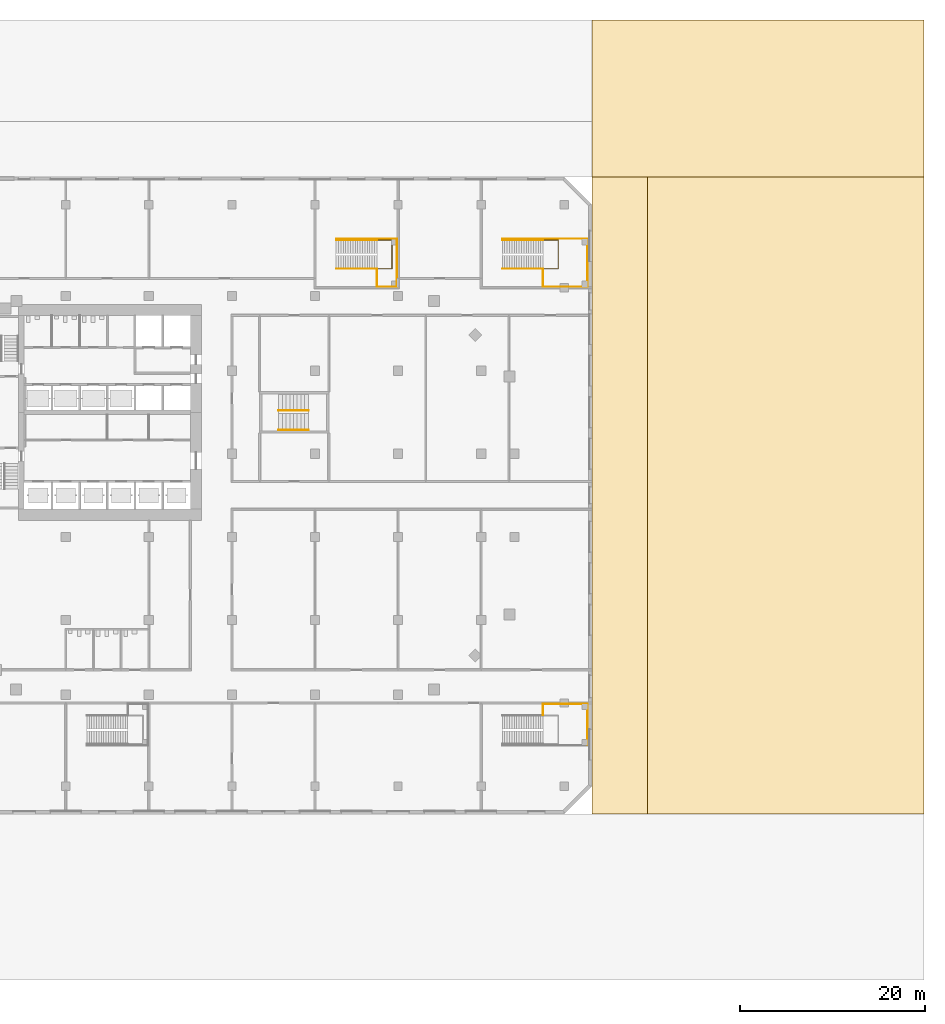
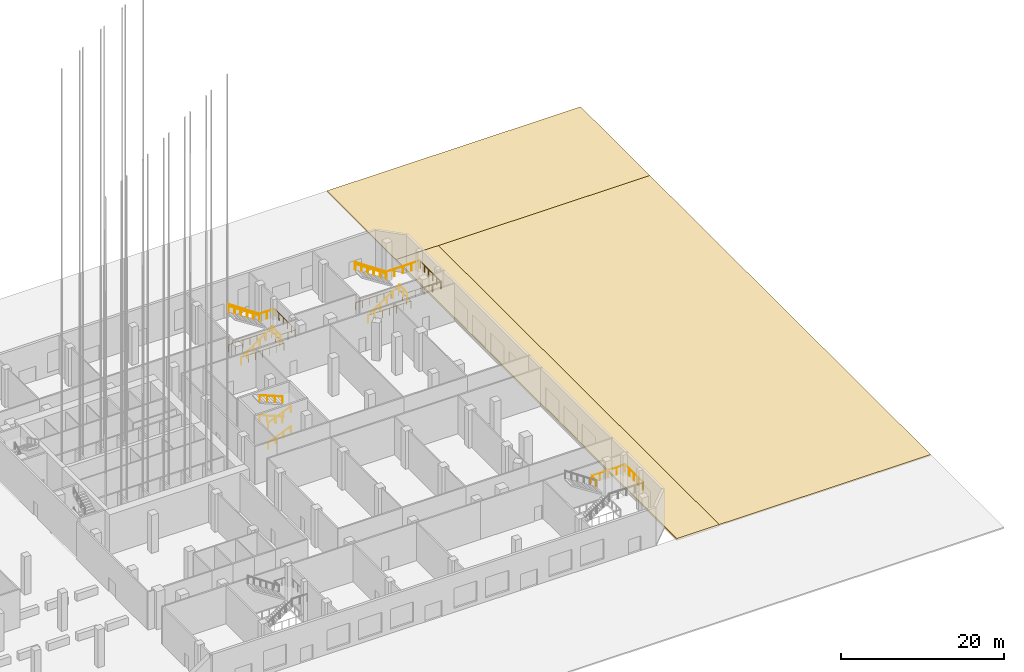
# One storey, part 52 of 55: 18 railings, 3 coverings, 1 element without a shape of its own.
"""IFC4 building model written with IfcOpenShell, lengths in metres."""

import ifcopenshell
import ifcopenshell.guid

model = None  # the IFC model being written
_history = None  # IfcOwnerHistory: only IFC2X3 demands one
_inside = {}  # id of a spatial element -> (the spatial element, [elements in it])
_under = {}  # id of a project, library or spatial element -> (it, [spatial elements below it])
_declared = {}  # id of a project -> (the project, [libraries it declares])
_typed = {}  # id of a type object -> (the type object, [elements of that type])
_made_of = {}  # id of a material, layer set ... -> (it, [elements and type objects made of it])


def new_model(schema):
    """Start an empty IFC model of exactly this schema.

    Asked for "IFC4X3", IfcOpenShell would pick the latest addendum, in which some entities
    have other attributes; the version numbers below select the first issue.
    IFC2X3 requires an IfcOwnerHistory on every rooted entity: one is made here for all.
    """
    global model, _history
    if schema == "IFC4X3":
        model = ifcopenshell.file(schema_version=(4, 3, 0, 0))
    else:
        model = ifcopenshell.file(schema=schema)
    _inside.clear()
    _under.clear()
    _declared.clear()
    _typed.clear()
    _made_of.clear()
    _history = None
    if model.schema == "IFC2X3":
        org = make("IfcOrganization", Name="unknown")
        user = make(
            "IfcPersonAndOrganization",
            ThePerson=make("IfcPerson", FamilyName="unknown"),
            TheOrganization=org,
        )
        app = make(
            "IfcApplication",
            ApplicationDeveloper=org,
            Version="unknown",
            ApplicationFullName="unknown",
            ApplicationIdentifier="unknown",
        )
        _history = make(
            "IfcOwnerHistory",
            OwningUser=user,
            OwningApplication=app,
            ChangeAction="ADDED",
            CreationDate=0,
        )
    return model


def make(cls, **values):
    """One entity of the class cls with the attributes given. An attribute that is None is left unset."""
    return model.create_entity(
        cls, **{name: value for name, value in values.items() if value is not None}
    )


def rooted(cls, **values):
    """An entity with a GlobalId (a new one), such as an element, a storey or a relation."""
    return make(cls, GlobalId=ifcopenshell.guid.new(), OwnerHistory=_history, **values)


def si_unit(unit_type, name, prefix=None):
    """IfcSIUnit, for example si_unit("LENGTHUNIT", "METRE", prefix="MILLI")."""
    return make("IfcSIUnit", UnitType=unit_type, Prefix=prefix, Name=name)


def assignment(units):
    """IfcUnitAssignment: the units of a project."""
    return None if units is None else make("IfcUnitAssignment", Units=units)


def point(xyz):
    """IfcCartesianPoint."""
    return None if xyz is None else make("IfcCartesianPoint", Coordinates=xyz)


def direction(xyz):
    """IfcDirection."""
    return None if xyz is None else make("IfcDirection", DirectionRatios=xyz)


def frame(location, z_axis=None, x_axis=None):
    """IfcAxis2Placement3D, a coordinate frame: its origin and axes. An axis left out is left unset."""
    return make(
        "IfcAxis2Placement3D",
        Location=point(location),
        Axis=direction(z_axis),
        RefDirection=direction(x_axis),
    )


def frame_2d(location, x_axis=None):
    """IfcAxis2Placement2D, a coordinate frame in the plane: its origin and x axis."""
    return make(
        "IfcAxis2Placement2D", Location=point(location), RefDirection=direction(x_axis)
    )


def origin():
    """The frame at (0, 0, 0) with its axes left unset."""
    return frame((0.0, 0.0, 0.0))


def origin_2d():
    """The frame at (0, 0) in the plane with its x axis left unset."""
    return frame_2d((0.0, 0.0))


def place(relative_to, where):
    """IfcLocalPlacement: puts the frame where relative to a parent placement (None: the world)."""
    return make(
        "IfcLocalPlacement", PlacementRelTo=relative_to, RelativePlacement=where
    )


def context(
    kind, dimensions, precision=None, world=None, true_north=None, identifier=None
):
    """IfcGeometricRepresentationContext, for example the 3D "Model" context."""
    return make(
        "IfcGeometricRepresentationContext",
        ContextIdentifier=identifier,
        ContextType=kind,
        CoordinateSpaceDimension=dimensions,
        Precision=precision,
        WorldCoordinateSystem=world,
        TrueNorth=true_north,
    )


def subcontext(parent, identifier, kind, view, scale=None):
    """IfcGeometricRepresentationSubContext, for example "Body" below "Model"."""
    return make(
        "IfcGeometricRepresentationSubContext",
        ContextIdentifier=identifier,
        ContextType=kind,
        ParentContext=parent,
        TargetScale=scale,
        TargetView=view,
    )


def project(units=None, contexts=None):
    """IfcProject with its units and contexts."""
    return rooted(
        "IfcProject",
        Name="project",
        RepresentationContexts=contexts,
        UnitsInContext=assignment(units),
    )


def spatial(cls, under=None, at=None, **own):
    """A site, building, storey or space (cls), placed at a placement, below another one or the project."""
    s = rooted(cls, ObjectPlacement=at, **own)
    if under is not None:
        _under.setdefault(under.id(), (under, []))[1].append(s)
    return s


def polyline(points):
    """IfcPolyline through the points."""
    return make("IfcPolyline", Points=[point(p) for p in points])


def profile(cls, at=None, kind="AREA", **sizes):
    """A parametric profile (cls). Its sizes go by their IFC names, for example OverallWidth=200.0."""
    return make(cls, ProfileType=kind, Position=at, **sizes)


def circle(**sizes):
    """IfcCircleProfileDef."""
    return profile("IfcCircleProfileDef", **sizes)


def outline(outer, holes=None, kind="AREA"):
    """IfcArbitraryClosedProfileDef: a profile drawn as a closed curve; with holes, ...WithVoids."""
    if holes is None:
        return make("IfcArbitraryClosedProfileDef", ProfileType=kind, OuterCurve=outer)
    return make(
        "IfcArbitraryProfileDefWithVoids",
        ProfileType=kind,
        OuterCurve=outer,
        InnerCurves=holes,
    )


def extrude(swept, where, along, depth):
    """IfcExtrudedAreaSolid: the profile swept, set in the frame where, extruded along a direction by depth."""
    return make(
        "IfcExtrudedAreaSolid",
        SweptArea=swept,
        Position=where,
        ExtrudedDirection=direction(along),
        Depth=depth,
    )


def shape(context_of_items, identifier, shape_type, items):
    """IfcShapeRepresentation: the items that make up one representation, for example the "Body"."""
    return make(
        "IfcShapeRepresentation",
        ContextOfItems=context_of_items,
        RepresentationIdentifier=identifier,
        RepresentationType=shape_type,
        Items=items,
    )


def material(Name=None, Category=None):
    """IfcMaterial."""
    return make("IfcMaterial", Name=Name, Category=Category)


def layer(
    of_material, thickness, ventilated=None, Name=None, Category=None, Priority=None
):
    """IfcMaterialLayer: one layer of a wall or slab, of a material (None: an air gap)."""
    return make(
        "IfcMaterialLayer",
        Material=of_material,
        LayerThickness=thickness,
        IsVentilated=ventilated,
        Name=Name,
        Category=Category,
        Priority=Priority,
    )


def layer_set(layers, Name=None):
    """IfcMaterialLayerSet."""
    return make("IfcMaterialLayerSet", MaterialLayers=layers, LayerSetName=Name)


def made_of(thing, what):
    """Note that an element or type object is made of a material, layer set ...; save() writes the relation."""
    if what is not None:
        _made_of.setdefault(what.id(), (what, []))[1].append(thing)
    return thing


def type_object(cls, material=None, **own):
    """A type object (cls), such as IfcWallType, which elements share."""
    return made_of(rooted(cls, **own), material)


def element(
    cls,
    number,
    at=None,
    inside=None,
    cuts=None,
    type_object=None,
    material=None,
    context=None,
    identifier="Body",
    shape_type=None,
    held_by="IfcProductDefinitionShape",
    body=None,
    shapes=None,
    **own,
):
    """One element of the class cls, such as IfcWall. Its Tag is "e" and its number.

    at: its placement. inside: the storey or other place that contains it. cuts: it is an
    opening in that element (IfcRelVoidsElement). A single representation is given by context,
    identifier, shape_type and body (its items); several are given by shapes. held_by: the class
    of the entity that holds the representations. save() writes the other relations.
    """
    e = rooted(cls, Tag="e%d" % number, ObjectPlacement=at, **own)
    if body is not None:
        shapes = [shape(context, identifier, shape_type, body)]
    if shapes is not None:
        e.Representation = make(held_by, Representations=shapes)
    if inside is not None:
        _inside.setdefault(inside.id(), (inside, []))[1].append(e)
    if cuts is not None:
        rooted(
            "IfcRelVoidsElement", RelatingBuildingElement=cuts, RelatedOpeningElement=e
        )
    if type_object is not None:
        _typed.setdefault(type_object.id(), (type_object, []))[1].append(e)
    return made_of(e, material)


def aggregate(whole, parts):
    """IfcRelAggregates: a whole, such as a stair, and the parts it consists of."""
    return rooted("IfcRelAggregates", RelatingObject=whole, RelatedObjects=parts)


def save(model, path):
    """Write the relations noted so far, then the file.

    IfcRelAggregates (storeys below a building ...), IfcRelContainedInSpatialStructure (elements
    in a storey), IfcRelDefinesByType, IfcRelAssociatesMaterial and IfcRelDeclares: one each for
    every whole, place, type object, material and project.
    """
    for whole, parts in _under.values():
        aggregate(whole, parts)
    for where, things in _inside.values():
        rooted(
            "IfcRelContainedInSpatialStructure",
            RelatedElements=things,
            RelatingStructure=where,
        )
    for kind, things in _typed.values():
        rooted("IfcRelDefinesByType", RelatedObjects=things, RelatingType=kind)
    for what, things in _made_of.values():
        rooted("IfcRelAssociatesMaterial", RelatedObjects=things, RelatingMaterial=what)
    for by, libraries in _declared.values():
        rooted("IfcRelDeclares", RelatingContext=by, RelatedDefinitions=libraries)
    model.write(path)


model = new_model("IFC4")

# Units and contexts
model_context = context("Model", 3, precision=1e-05, world=origin(), true_north=direction((0.0, 1.0)))
body_context = subcontext(model_context, "Body", "Model", "MODEL_VIEW")
ifc_project = project(units=[si_unit("LENGTHUNIT", "METRE"), si_unit("AREAUNIT", "SQUARE_METRE"), si_unit("VOLUMEUNIT", "CUBIC_METRE"), si_unit("PLANEANGLEUNIT", "RADIAN"), si_unit("MASSUNIT", "GRAM", prefix="KILO")], contexts=[model_context])

# Site, building, storey
site_placement = place(None, origin())
site = spatial("IfcSite", under=ifc_project, at=site_placement, CompositionType="ELEMENT")
building_placement = place(site_placement, origin())
building = spatial("IfcBuilding", under=site, at=building_placement, Name="Cinnabar Reach Civic Tower", CompositionType="ELEMENT")
storey_placement = place(building_placement, origin())
storey = spatial("IfcBuildingStorey", under=building, at=storey_placement, Name="L00", CompositionType="ELEMENT", Elevation=0.0)

# Coverings
ifc_material_1 = material(Name="Granite paving on sand and cement bedding", Category="masonry")
ifc_layer_1 = layer(ifc_material_1, 0.2)
ifc_layer_set_1 = layer_set([ifc_layer_1], Name="Podium granite paving 200")
covering_type_1 = type_object("IfcCoveringType", Name="Podium granite paving 200", PredefinedType="USERDEFINED", material=ifc_layer_set_1)
covering_1_placement = place(storey_placement, frame((0.0, 0.0, -0.2)))
element("IfcCovering", 1, at=covering_1_placement, inside=storey, type_object=covering_type_1, Name="East plaza paving", ObjectType="PAVING", PredefinedType="USERDEFINED", context=body_context, shape_type="SweptSolid", body=[
    extrude(outline(polyline([(102.0, -12.0), (102.0, 57.0), (72.0, 57.0), (72.0, -12.0), (102.0, -12.0)])), origin(), (0.0, 0.0, 1.0), 0.2),
])
covering_2_placement = place(storey_placement, frame((0.0, 0.0, -0.2)))
element("IfcCovering", 2, at=covering_2_placement, inside=storey, type_object=covering_type_1, Name="North-east plaza paving", ObjectType="PAVING", PredefinedType="USERDEFINED", context=body_context, shape_type="SweptSolid", body=[
    extrude(outline(polyline([(102.0, 57.0), (102.0, 74.0), (66.0, 74.0), (66.0, 57.0), (102.0, 57.0)])), origin(), (0.0, 0.0, 1.0), 0.2),
])

# Railings
ifc_material_2 = material(Name="Stainless steel and glass", Category="steel")
railing_type_1 = type_object("IfcRailingType", Name="Podium guard 1100", PredefinedType="GUARDRAIL", material=ifc_material_2)
railing_1_placement = place(storey_placement, frame((60.72, -0.1, 3.0)))
element("IfcRailing", 3, at=railing_1_placement, inside=storey, type_object=railing_type_1, Name="Landing guard PS4 L00", PredefinedType="GUARDRAIL", context=body_context, shape_type="SweptSolid", body=[
    extrude(circle(Radius=0.024, at=origin_2d()), frame((0.0, 0.0, 1.076), z_axis=(1.0, 0.0, 0.0), x_axis=(0.0, 1.0, 0.0)), (0.0, 0.0, 1.0), 4.78),
    extrude(circle(Radius=0.024, at=origin_2d()), frame((4.78, 0.0, 1.076), z_axis=(0.0, -1.0, 0.0), x_axis=(1.0, 0.0, 0.0)), (0.0, 0.0, 1.0), 4.4),
    extrude(circle(Radius=0.021, at=origin_2d()), origin(), (0.0, 0.0, 1.0), 1.052),
    extrude(circle(Radius=0.021, at=origin_2d()), frame((1.195, 0.0, 0.0)), (0.0, 0.0, 1.0), 1.052),
    extrude(circle(Radius=0.021, at=origin_2d()), frame((2.39, 0.0, 0.0)), (0.0, 0.0, 1.0), 1.052),
    extrude(circle(Radius=0.021, at=origin_2d()), frame((3.585, 0.0, 0.0)), (0.0, 0.0, 1.0), 1.052),
    extrude(circle(Radius=0.021, at=origin_2d()), frame((4.78, 0.0, 0.0)), (0.0, 0.0, 1.0), 1.052),
    extrude(circle(Radius=0.021, at=origin_2d()), frame((4.78, -1.1, 0.0)), (0.0, 0.0, 1.0), 1.052),
    extrude(circle(Radius=0.021, at=origin_2d()), frame((4.78, -2.2, 0.0)), (0.0, 0.0, 1.0), 1.052),
    extrude(circle(Radius=0.021, at=origin_2d()), frame((4.78, -3.3, 0.0)), (0.0, 0.0, 1.0), 1.052),
    extrude(circle(Radius=0.021, at=origin_2d()), frame((4.78, -4.4, 0.0)), (0.0, 0.0, 1.0), 1.052),
])
railing_2_placement = place(storey_placement, frame((60.72, -1.3, 3.0)))
element("IfcRailing", 4, at=railing_2_placement, inside=storey, type_object=railing_type_1, Name="Landing guard PS4 L00 inner", PredefinedType="GUARDRAIL", context=body_context, shape_type="SweptSolid", body=[
    extrude(circle(Radius=0.024, at=origin_2d()), frame((0.0, 0.0, 1.076), z_axis=(0.0, 1.0, 0.0), x_axis=(-1.0, 0.0, 0.0)), (0.0, 0.0, 1.0), 1.2),
    extrude(circle(Radius=0.021, at=origin_2d()), origin(), (0.0, 0.0, 1.0), 1.052),
    extrude(circle(Radius=0.021, at=origin_2d()), frame((0.0, 1.2, 0.0)), (0.0, 0.0, 1.0), 1.052),
])
railing_3_placement = place(storey_placement, frame((56.3, 47.05, 0.0)))
element("IfcRailing", 5, at=railing_3_placement, inside=storey, type_object=railing_type_1, Name="Stair guard PS5 L00", PredefinedType="GUARDRAIL", context=body_context, shape_type="SweptSolid", body=[
    extrude(circle(Radius=0.024, at=origin_2d()), frame((0.0, 0.0, 1.076), z_axis=(0.827413642594, 0.0, 0.561592970086), x_axis=(0.0, 1.0, 0.0)), (0.0, 0.0, 1.0), 5.3419),
    extrude(circle(Radius=0.021, at=origin_2d()), origin(), (0.0, 0.0, 1.0), 1.052),
    extrude(circle(Radius=0.021, at=origin_2d()), frame((0.884, 0.0, 0.6)), (0.0, 0.0, 1.0), 1.052),
    extrude(circle(Radius=0.021, at=origin_2d()), frame((1.768, 0.0, 1.2)), (0.0, 0.0, 1.0), 1.052),
    extrude(circle(Radius=0.021, at=origin_2d()), frame((2.652, 0.0, 1.8)), (0.0, 0.0, 1.0), 1.052),
    extrude(circle(Radius=0.021, at=origin_2d()), frame((3.536, 0.0, 2.4)), (0.0, 0.0, 1.0), 1.052),
    extrude(circle(Radius=0.021, at=origin_2d()), frame((4.42, 0.0, 3.0)), (0.0, 0.0, 1.0), 1.052),
])
railing_4_placement = place(storey_placement, frame((60.72, 45.1, 3.0)))
element("IfcRailing", 6, at=railing_4_placement, inside=storey, type_object=railing_type_1, Name="Landing guard PS5 L00", PredefinedType="GUARDRAIL", context=body_context, shape_type="SweptSolid", body=[
    extrude(circle(Radius=0.024, at=origin_2d()), frame((0.0, 0.0, 1.076), z_axis=(1.0, 0.0, 0.0), x_axis=(0.0, 1.0, 0.0)), (0.0, 0.0, 1.0), 4.78),
    extrude(circle(Radius=0.024, at=origin_2d()), frame((4.78, 0.0, 1.076), z_axis=(0.0, 1.0, 0.0), x_axis=(-1.0, 0.0, 0.0)), (0.0, 0.0, 1.0), 5.1),
    extrude(circle(Radius=0.021, at=origin_2d()), origin(), (0.0, 0.0, 1.0), 1.052),
    extrude(circle(Radius=0.021, at=origin_2d()), frame((1.195, 0.0, 0.0)), (0.0, 0.0, 1.0), 1.052),
    extrude(circle(Radius=0.021, at=origin_2d()), frame((2.39, 0.0, 0.0)), (0.0, 0.0, 1.0), 1.052),
    extrude(circle(Radius=0.021, at=origin_2d()), frame((3.585, 0.0, 0.0)), (0.0, 0.0, 1.0), 1.052),
    extrude(circle(Radius=0.021, at=origin_2d()), frame((4.78, 0.0, 0.0)), (0.0, 0.0, 1.0), 1.052),
    extrude(circle(Radius=0.021, at=origin_2d()), frame((4.78, 1.02, 0.0)), (0.0, 0.0, 1.0), 1.052),
    extrude(circle(Radius=0.021, at=origin_2d()), frame((4.78, 2.04, 0.0)), (0.0, 0.0, 1.0), 1.052),
    extrude(circle(Radius=0.021, at=origin_2d()), frame((4.78, 3.06, 0.0)), (0.0, 0.0, 1.0), 1.052),
    extrude(circle(Radius=0.021, at=origin_2d()), frame((4.78, 4.08, 0.0)), (0.0, 0.0, 1.0), 1.052),
    extrude(circle(Radius=0.021, at=origin_2d()), frame((4.78, 5.1, 0.0)), (0.0, 0.0, 1.0), 1.052),
])
railing_5_placement = place(storey_placement, frame((60.72, 45.1, 3.0)))
element("IfcRailing", 7, at=railing_5_placement, inside=storey, type_object=railing_type_1, Name="Landing guard PS5 L00 inner", PredefinedType="GUARDRAIL", context=body_context, shape_type="SweptSolid", body=[
    extrude(circle(Radius=0.024, at=origin_2d()), frame((0.0, 0.0, 1.076), z_axis=(0.0, 1.0, 0.0), x_axis=(-1.0, 0.0, 0.0)), (0.0, 0.0, 1.0), 1.9),
    extrude(circle(Radius=0.021, at=origin_2d()), origin(), (0.0, 0.0, 1.0), 1.052),
    extrude(circle(Radius=0.021, at=origin_2d()), frame((0.0, 0.95, 0.0)), (0.0, 0.0, 1.0), 1.052),
    extrude(circle(Radius=0.021, at=origin_2d()), frame((0.0, 1.9, 0.0)), (0.0, 0.0, 1.0), 1.052),
])
railing_6_placement = place(storey_placement, frame((65.5, 50.3, 3.0)))
element("IfcRailing", 8, at=railing_6_placement, inside=storey, type_object=railing_type_1, Name="Stair wall side guard PS5 L00", PredefinedType="GUARDRAIL", context=body_context, shape_type="SweptSolid", body=[
    extrude(circle(Radius=0.024, at=origin_2d()), frame((0.0, 0.0, 1.076), z_axis=(-1.0, 0.0, 0.0), x_axis=(0.0, -1.0, 0.0)), (0.0, 0.0, 1.0), 4.78),
    extrude(circle(Radius=0.024, at=origin_2d()), frame((-4.78, 0.0, 1.076), z_axis=(-0.827413642594, 0.0, 0.561592970086), x_axis=(0.0, -1.0, 0.0)), (0.0, 0.0, 1.0), 5.3419),
    extrude(circle(Radius=0.021, at=origin_2d()), origin(), (0.0, 0.0, 1.0), 1.052),
    extrude(circle(Radius=0.021, at=origin_2d()), frame((-1.195, 0.0, 0.0)), (0.0, 0.0, 1.0), 1.052),
    extrude(circle(Radius=0.021, at=origin_2d()), frame((-2.39, 0.0, 0.0)), (0.0, 0.0, 1.0), 1.052),
    extrude(circle(Radius=0.021, at=origin_2d()), frame((-3.585, 0.0, 0.0)), (0.0, 0.0, 1.0), 1.052),
    extrude(circle(Radius=0.021, at=origin_2d()), frame((-4.78, 0.0, 0.0)), (0.0, 0.0, 1.0), 1.052),
    extrude(circle(Radius=0.021, at=origin_2d()), frame((-5.664, 0.0, 0.6)), (0.0, 0.0, 1.0), 1.052),
    extrude(circle(Radius=0.021, at=origin_2d()), frame((-6.548, 0.0, 1.2)), (0.0, 0.0, 1.0), 1.052),
    extrude(circle(Radius=0.021, at=origin_2d()), frame((-7.432, 0.0, 1.8)), (0.0, 0.0, 1.0), 1.052),
    extrude(circle(Radius=0.021, at=origin_2d()), frame((-8.316, 0.0, 2.4)), (0.0, 0.0, 1.0), 1.052),
    extrude(circle(Radius=0.021, at=origin_2d()), frame((-9.2, 0.0, 3.0)), (0.0, 0.0, 1.0), 1.052),
])
railing_7_placement = place(storey_placement, frame((56.3, 47.05, 0.0)))
element("IfcRailing", 9, at=railing_7_placement, inside=storey, type_object=railing_type_1, Name="Stair well guard PS5 L00", PredefinedType="GUARDRAIL", context=body_context, shape_type="SweptSolid", body=[
    extrude(circle(Radius=0.024, at=origin_2d()), frame((0.0, 0.0, 1.076), z_axis=(1.0, 0.0, 0.0), x_axis=(0.0, 1.0, 0.0)), (0.0, 0.0, 1.0), 6.05),
    extrude(circle(Radius=0.024, at=origin_2d()), frame((6.05, 0.0, 1.076), z_axis=(0.0, 1.0, 0.0), x_axis=(-1.0, 0.0, 0.0)), (0.0, 0.0, 1.0), 3.1),
    extrude(circle(Radius=0.024, at=origin_2d()), frame((6.05, 3.1, 1.076), z_axis=(-1.0, 0.0, 0.0), x_axis=(0.0, -1.0, 0.0)), (0.0, 0.0, 1.0), 6.05),
    extrude(circle(Radius=0.021, at=origin_2d()), origin(), (0.0, 0.0, 1.0), 1.052),
    extrude(circle(Radius=0.021, at=origin_2d()), frame((1.0083, 0.0, 0.0)), (0.0, 0.0, 1.0), 1.052),
    extrude(circle(Radius=0.021, at=origin_2d()), frame((2.0167, 0.0, 0.0)), (0.0, 0.0, 1.0), 1.052),
    extrude(circle(Radius=0.021, at=origin_2d()), frame((3.025, 0.0, 0.0)), (0.0, 0.0, 1.0), 1.052),
    extrude(circle(Radius=0.021, at=origin_2d()), frame((4.0333, 0.0, 0.0)), (0.0, 0.0, 1.0), 1.052),
    extrude(circle(Radius=0.021, at=origin_2d()), frame((5.0417, 0.0, 0.0)), (0.0, 0.0, 1.0), 1.052),
    extrude(circle(Radius=0.021, at=origin_2d()), frame((6.05, 0.0, 0.0)), (0.0, 0.0, 1.0), 1.052),
    extrude(circle(Radius=0.021, at=origin_2d()), frame((6.05, 1.0333, 0.0)), (0.0, 0.0, 1.0), 1.052),
    extrude(circle(Radius=0.021, at=origin_2d()), frame((6.05, 2.0667, 0.0)), (0.0, 0.0, 1.0), 1.052),
    extrude(circle(Radius=0.021, at=origin_2d()), frame((6.05, 3.1, 0.0)), (0.0, 0.0, 1.0), 1.052),
    extrude(circle(Radius=0.021, at=origin_2d()), frame((5.0417, 3.1, 0.0)), (0.0, 0.0, 1.0), 1.052),
    extrude(circle(Radius=0.021, at=origin_2d()), frame((4.0333, 3.1, 0.0)), (0.0, 0.0, 1.0), 1.052),
    extrude(circle(Radius=0.021, at=origin_2d()), frame((3.025, 3.1, 0.0)), (0.0, 0.0, 1.0), 1.052),
    extrude(circle(Radius=0.021, at=origin_2d()), frame((2.0167, 3.1, 0.0)), (0.0, 0.0, 1.0), 1.052),
    extrude(circle(Radius=0.021, at=origin_2d()), frame((1.0083, 3.1, 0.0)), (0.0, 0.0, 1.0), 1.052),
    extrude(circle(Radius=0.021, at=origin_2d()), frame((0.0, 3.1, 0.0)), (0.0, 0.0, 1.0), 1.052),
])
railing_8_placement = place(storey_placement, frame((38.3, 47.05, 0.0)))
element("IfcRailing", 10, at=railing_8_placement, inside=storey, type_object=railing_type_1, Name="Stair guard PS6 L00", PredefinedType="GUARDRAIL", context=body_context, shape_type="SweptSolid", body=[
    extrude(circle(Radius=0.024, at=origin_2d()), frame((0.0, 0.0, 1.076), z_axis=(0.827413642594, 0.0, 0.561592970086), x_axis=(0.0, 1.0, 0.0)), (0.0, 0.0, 1.0), 5.3419),
    extrude(circle(Radius=0.021, at=origin_2d()), origin(), (0.0, 0.0, 1.0), 1.052),
    extrude(circle(Radius=0.021, at=origin_2d()), frame((0.884, 0.0, 0.6)), (0.0, 0.0, 1.0), 1.052),
    extrude(circle(Radius=0.021, at=origin_2d()), frame((1.768, 0.0, 1.2)), (0.0, 0.0, 1.0), 1.052),
    extrude(circle(Radius=0.021, at=origin_2d()), frame((2.652, 0.0, 1.8)), (0.0, 0.0, 1.0), 1.052),
    extrude(circle(Radius=0.021, at=origin_2d()), frame((3.536, 0.0, 2.4)), (0.0, 0.0, 1.0), 1.052),
    extrude(circle(Radius=0.021, at=origin_2d()), frame((4.42, 0.0, 3.0)), (0.0, 0.0, 1.0), 1.052),
])
railing_9_placement = place(storey_placement, frame((42.72, 45.1, 3.0)))
element("IfcRailing", 11, at=railing_9_placement, inside=storey, type_object=railing_type_1, Name="Landing guard PS6 L00", PredefinedType="GUARDRAIL", context=body_context, shape_type="SweptSolid", body=[
    extrude(circle(Radius=0.024, at=origin_2d()), frame((0.0, 0.0, 1.076), z_axis=(1.0, 0.0, 0.0), x_axis=(0.0, 1.0, 0.0)), (0.0, 0.0, 1.0), 2.18),
    extrude(circle(Radius=0.024, at=origin_2d()), frame((2.18, 0.0, 1.076), z_axis=(0.0, 1.0, 0.0), x_axis=(-1.0, 0.0, 0.0)), (0.0, 0.0, 1.0), 5.1),
    extrude(circle(Radius=0.021, at=origin_2d()), origin(), (0.0, 0.0, 1.0), 1.052),
    extrude(circle(Radius=0.021, at=origin_2d()), frame((1.09, 0.0, 0.0)), (0.0, 0.0, 1.0), 1.052),
    extrude(circle(Radius=0.021, at=origin_2d()), frame((2.18, 0.0, 0.0)), (0.0, 0.0, 1.0), 1.052),
    extrude(circle(Radius=0.021, at=origin_2d()), frame((2.18, 1.02, 0.0)), (0.0, 0.0, 1.0), 1.052),
    extrude(circle(Radius=0.021, at=origin_2d()), frame((2.18, 2.04, 0.0)), (0.0, 0.0, 1.0), 1.052),
    extrude(circle(Radius=0.021, at=origin_2d()), frame((2.18, 3.06, 0.0)), (0.0, 0.0, 1.0), 1.052),
    extrude(circle(Radius=0.021, at=origin_2d()), frame((2.18, 4.08, 0.0)), (0.0, 0.0, 1.0), 1.052),
    extrude(circle(Radius=0.021, at=origin_2d()), frame((2.18, 5.1, 0.0)), (0.0, 0.0, 1.0), 1.052),
])
railing_10_placement = place(storey_placement, frame((42.72, 45.1, 3.0)))
element("IfcRailing", 12, at=railing_10_placement, inside=storey, type_object=railing_type_1, Name="Landing guard PS6 L00 inner", PredefinedType="GUARDRAIL", context=body_context, shape_type="SweptSolid", body=[
    extrude(circle(Radius=0.024, at=origin_2d()), frame((0.0, 0.0, 1.076), z_axis=(0.0, 1.0, 0.0), x_axis=(-1.0, 0.0, 0.0)), (0.0, 0.0, 1.0), 1.9),
    extrude(circle(Radius=0.021, at=origin_2d()), origin(), (0.0, 0.0, 1.0), 1.052),
    extrude(circle(Radius=0.021, at=origin_2d()), frame((0.0, 0.95, 0.0)), (0.0, 0.0, 1.0), 1.052),
    extrude(circle(Radius=0.021, at=origin_2d()), frame((0.0, 1.9, 0.0)), (0.0, 0.0, 1.0), 1.052),
])
railing_11_placement = place(storey_placement, frame((44.9, 50.3, 3.0)))
element("IfcRailing", 13, at=railing_11_placement, inside=storey, type_object=railing_type_1, Name="Stair wall side guard PS6 L00", PredefinedType="GUARDRAIL", context=body_context, shape_type="SweptSolid", body=[
    extrude(circle(Radius=0.024, at=origin_2d()), frame((0.0, 0.0, 1.076), z_axis=(-1.0, 0.0, 0.0), x_axis=(0.0, -1.0, 0.0)), (0.0, 0.0, 1.0), 2.18),
    extrude(circle(Radius=0.024, at=origin_2d()), frame((-2.18, 0.0, 1.076), z_axis=(-0.827413642594, 0.0, 0.561592970086), x_axis=(0.0, -1.0, 0.0)), (0.0, 0.0, 1.0), 5.3419),
    extrude(circle(Radius=0.021, at=origin_2d()), origin(), (0.0, 0.0, 1.0), 1.052),
    extrude(circle(Radius=0.021, at=origin_2d()), frame((-1.09, 0.0, 0.0)), (0.0, 0.0, 1.0), 1.052),
    extrude(circle(Radius=0.021, at=origin_2d()), frame((-2.18, 0.0, 0.0)), (0.0, 0.0, 1.0), 1.052),
    extrude(circle(Radius=0.021, at=origin_2d()), frame((-3.064, 0.0, 0.6)), (0.0, 0.0, 1.0), 1.052),
    extrude(circle(Radius=0.021, at=origin_2d()), frame((-3.948, 0.0, 1.2)), (0.0, 0.0, 1.0), 1.052),
    extrude(circle(Radius=0.021, at=origin_2d()), frame((-4.832, 0.0, 1.8)), (0.0, 0.0, 1.0), 1.052),
    extrude(circle(Radius=0.021, at=origin_2d()), frame((-5.716, 0.0, 2.4)), (0.0, 0.0, 1.0), 1.052),
    extrude(circle(Radius=0.021, at=origin_2d()), frame((-6.6, 0.0, 3.0)), (0.0, 0.0, 1.0), 1.052),
])
railing_12_placement = place(storey_placement, frame((38.3, 47.05, 0.0)))
element("IfcRailing", 14, at=railing_12_placement, inside=storey, type_object=railing_type_1, Name="Stair well guard PS6 L00", PredefinedType="GUARDRAIL", context=body_context, shape_type="SweptSolid", body=[
    extrude(circle(Radius=0.024, at=origin_2d()), frame((0.0, 0.0, 1.076), z_axis=(1.0, 0.0, 0.0), x_axis=(0.0, 1.0, 0.0)), (0.0, 0.0, 1.0), 6.05),
    extrude(circle(Radius=0.024, at=origin_2d()), frame((6.05, 0.0, 1.076), z_axis=(0.0, 1.0, 0.0), x_axis=(-1.0, 0.0, 0.0)), (0.0, 0.0, 1.0), 3.1),
    extrude(circle(Radius=0.024, at=origin_2d()), frame((6.05, 3.1, 1.076), z_axis=(-1.0, 0.0, 0.0), x_axis=(0.0, -1.0, 0.0)), (0.0, 0.0, 1.0), 6.05),
    extrude(circle(Radius=0.021, at=origin_2d()), origin(), (0.0, 0.0, 1.0), 1.052),
    extrude(circle(Radius=0.021, at=origin_2d()), frame((1.0083, 0.0, 0.0)), (0.0, 0.0, 1.0), 1.052),
    extrude(circle(Radius=0.021, at=origin_2d()), frame((2.0167, 0.0, 0.0)), (0.0, 0.0, 1.0), 1.052),
    extrude(circle(Radius=0.021, at=origin_2d()), frame((3.025, 0.0, 0.0)), (0.0, 0.0, 1.0), 1.052),
    extrude(circle(Radius=0.021, at=origin_2d()), frame((4.0333, 0.0, 0.0)), (0.0, 0.0, 1.0), 1.052),
    extrude(circle(Radius=0.021, at=origin_2d()), frame((5.0417, 0.0, 0.0)), (0.0, 0.0, 1.0), 1.052),
    extrude(circle(Radius=0.021, at=origin_2d()), frame((6.05, 0.0, 0.0)), (0.0, 0.0, 1.0), 1.052),
    extrude(circle(Radius=0.021, at=origin_2d()), frame((6.05, 1.0333, 0.0)), (0.0, 0.0, 1.0), 1.052),
    extrude(circle(Radius=0.021, at=origin_2d()), frame((6.05, 2.0667, 0.0)), (0.0, 0.0, 1.0), 1.052),
    extrude(circle(Radius=0.021, at=origin_2d()), frame((6.05, 3.1, 0.0)), (0.0, 0.0, 1.0), 1.052),
    extrude(circle(Radius=0.021, at=origin_2d()), frame((5.0417, 3.1, 0.0)), (0.0, 0.0, 1.0), 1.052),
    extrude(circle(Radius=0.021, at=origin_2d()), frame((4.0333, 3.1, 0.0)), (0.0, 0.0, 1.0), 1.052),
    extrude(circle(Radius=0.021, at=origin_2d()), frame((3.025, 3.1, 0.0)), (0.0, 0.0, 1.0), 1.052),
    extrude(circle(Radius=0.021, at=origin_2d()), frame((2.0167, 3.1, 0.0)), (0.0, 0.0, 1.0), 1.052),
    extrude(circle(Radius=0.021, at=origin_2d()), frame((1.0083, 3.1, 0.0)), (0.0, 0.0, 1.0), 1.052),
    extrude(circle(Radius=0.021, at=origin_2d()), frame((0.0, 3.1, 0.0)), (0.0, 0.0, 1.0), 1.052),
])

# Covering
ifc_material_3 = material(Name="Reinforced concrete C35/45 paving", Category="concrete")
ifc_layer_2 = layer(ifc_material_3, 0.3)
ifc_layer_set_2 = layer_set([ifc_layer_2], Name="Podium heavy duty concrete paving 300")
covering_type_2 = type_object("IfcCoveringType", Name="Podium heavy duty concrete paving 300", PredefinedType="USERDEFINED", material=ifc_layer_set_2)
covering_3_placement = place(storey_placement, frame((0.0, 0.0, -0.3)))
element("IfcCovering", 15, at=covering_3_placement, inside=storey, type_object=covering_type_2, Name="Fire appliance lane east", ObjectType="PAVING", PredefinedType="USERDEFINED", context=body_context, shape_type="SweptSolid", body=[
    extrude(outline(polyline([(72.0, -12.0), (72.0, 57.0), (66.0, 57.0), (66.0, -12.0), (72.0, -12.0)])), origin(), (0.0, 0.0, 1.0), 0.3),
])

# Railings
ifc_material_4 = material(Name="Stainless steel", Category="steel")
railing_type_2 = type_object("IfcRailingType", Name="Podium stair handrail 900", PredefinedType="HANDRAIL", material=ifc_material_4)
for number, where, name in (
    (16, (60.72, 50.15, 3.0), "Stair handrail PS5 L00"),
    (17, (42.72, 50.15, 3.0), "Stair handrail PS6 L00"),
):
    element("IfcRailing", number, at=place(storey_placement, frame(where)), inside=storey, type_object=railing_type_2, Name=name, PredefinedType="HANDRAIL", context=body_context, shape_type="SweptSolid", body=[
        extrude(circle(Radius=0.024, at=origin_2d()), frame((0.0, 0.0, 0.876), z_axis=(-0.827413642594, 0.0, 0.561592970086), x_axis=(0.0, -1.0, 0.0)), (0.0, 0.0, 1.0), 5.3419),
        extrude(circle(Radius=0.021, at=origin_2d()), origin(), (0.0, 0.0, 1.0), 0.852),
        extrude(circle(Radius=0.021, at=origin_2d()), frame((-0.884, 0.0, 0.6)), (0.0, 0.0, 1.0), 0.852),
        extrude(circle(Radius=0.021, at=origin_2d()), frame((-1.768, 0.0, 1.2)), (0.0, 0.0, 1.0), 0.852),
        extrude(circle(Radius=0.021, at=origin_2d()), frame((-2.652, 0.0, 1.8)), (0.0, 0.0, 1.0), 0.852),
        extrude(circle(Radius=0.021, at=origin_2d()), frame((-3.536, 0.0, 2.4)), (0.0, 0.0, 1.0), 0.852),
        extrude(circle(Radius=0.021, at=origin_2d()), frame((-4.42, 0.0, 3.0)), (0.0, 0.0, 1.0), 0.852),
    ])

# Stair, railings
ifc_material_5 = material(Name="Concrete C40/50", Category="concrete")
stair_type = type_object("IfcStairType", Name="T1 Exit stair, double return", PredefinedType="DOUBLE_RETURN_STAIR", material=ifc_material_5)
stair_placement = place(storey_placement, origin())
stair = element("IfcStair", 18, at=stair_placement, inside=storey, type_object=stair_type, Name="Stair T1-S3", PredefinedType="DOUBLE_RETURN_STAIR")
ifc_material_6 = material(Name="Stainless steel tube", Category="steel")
railing_type_3 = type_object("IfcRailingType", Name="T1 Stair handrail, stainless tube 48", PredefinedType="HANDRAIL", material=ifc_material_6)
railing_13_placement = place(storey_placement, frame((32.05, 29.6, 0.1667)))
railing_13 = element("IfcRailing", 19, at=railing_13_placement, type_object=railing_type_3, Name="T1-S3 handrail 1", PredefinedType="HANDRAIL", context=body_context, shape_type="SweptSolid", body=[
    extrude(circle(Radius=0.024, at=origin_2d()), frame((0.0, 0.0, 0.876), z_axis=(0.9247602407, 0.0, 0.380550255841), x_axis=(0.0, 1.0, 0.0)), (0.0, 0.0, 1.0), 3.5036),
    extrude(circle(Radius=0.021, at=origin_2d()), origin(), (0.0, 0.0, 1.0), 0.852),
    extrude(circle(Radius=0.021, at=origin_2d()), frame((1.08, 0.0, 0.4444)), (0.0, 0.0, 1.0), 0.852),
    extrude(circle(Radius=0.021, at=origin_2d()), frame((2.16, 0.0, 0.8889)), (0.0, 0.0, 1.0), 0.852),
    extrude(circle(Radius=0.021, at=origin_2d()), frame((3.24, 0.0, 1.3333)), (0.0, 0.0, 1.0), 0.852),
])
railing_14_placement = place(storey_placement, frame((35.29, 31.7, 1.6667)))
railing_14 = element("IfcRailing", 20, at=railing_14_placement, type_object=railing_type_3, Name="T1-S3 handrail 2", PredefinedType="HANDRAIL", context=body_context, shape_type="SweptSolid", body=[
    extrude(circle(Radius=0.024, at=origin_2d()), frame((0.0, 0.0, 0.876), z_axis=(-0.9247602407, 0.0, 0.380550255841), x_axis=(0.0, -1.0, 0.0)), (0.0, 0.0, 1.0), 3.5036),
    extrude(circle(Radius=0.021, at=origin_2d()), origin(), (0.0, 0.0, 1.0), 0.852),
    extrude(circle(Radius=0.021, at=origin_2d()), frame((-1.08, 0.0, 0.4444)), (0.0, 0.0, 1.0), 0.852),
    extrude(circle(Radius=0.021, at=origin_2d()), frame((-2.16, 0.0, 0.8889)), (0.0, 0.0, 1.0), 0.852),
    extrude(circle(Radius=0.021, at=origin_2d()), frame((-3.24, 0.0, 1.3333)), (0.0, 0.0, 1.0), 0.852),
])
railing_15_placement = place(storey_placement, frame((32.05, 29.6, 3.1667)))
railing_15 = element("IfcRailing", 21, at=railing_15_placement, type_object=railing_type_3, Name="T1-S3 handrail 3", PredefinedType="HANDRAIL", context=body_context, shape_type="SweptSolid", body=[
    extrude(circle(Radius=0.024, at=origin_2d()), frame((0.0, 0.0, 0.876), z_axis=(0.9247602407, 0.0, 0.380550255841), x_axis=(0.0, 1.0, 0.0)), (0.0, 0.0, 1.0), 3.5036),
    extrude(circle(Radius=0.021, at=origin_2d()), origin(), (0.0, 0.0, 1.0), 0.852),
    extrude(circle(Radius=0.021, at=origin_2d()), frame((1.08, 0.0, 0.4444)), (0.0, 0.0, 1.0), 0.852),
    extrude(circle(Radius=0.021, at=origin_2d()), frame((2.16, 0.0, 0.8889)), (0.0, 0.0, 1.0), 0.852),
    extrude(circle(Radius=0.021, at=origin_2d()), frame((3.24, 0.0, 1.3333)), (0.0, 0.0, 1.0), 0.852),
])
railing_16_placement = place(storey_placement, frame((35.29, 31.7, 4.6667)))
railing_16 = element("IfcRailing", 22, at=railing_16_placement, type_object=railing_type_3, Name="T1-S3 handrail 4", PredefinedType="HANDRAIL", context=body_context, shape_type="SweptSolid", body=[
    extrude(circle(Radius=0.024, at=origin_2d()), frame((0.0, 0.0, 0.876), z_axis=(-0.9247602407, 0.0, 0.380550255841), x_axis=(0.0, -1.0, 0.0)), (0.0, 0.0, 1.0), 3.5036),
    extrude(circle(Radius=0.021, at=origin_2d()), origin(), (0.0, 0.0, 1.0), 0.852),
    extrude(circle(Radius=0.021, at=origin_2d()), frame((-1.08, 0.0, 0.4444)), (0.0, 0.0, 1.0), 0.852),
    extrude(circle(Radius=0.021, at=origin_2d()), frame((-2.16, 0.0, 0.8889)), (0.0, 0.0, 1.0), 0.852),
    extrude(circle(Radius=0.021, at=origin_2d()), frame((-3.24, 0.0, 1.3333)), (0.0, 0.0, 1.0), 0.852),
])
aggregate(stair, [railing_13, railing_14, railing_15, railing_16])

save(model, "model.ifc")
